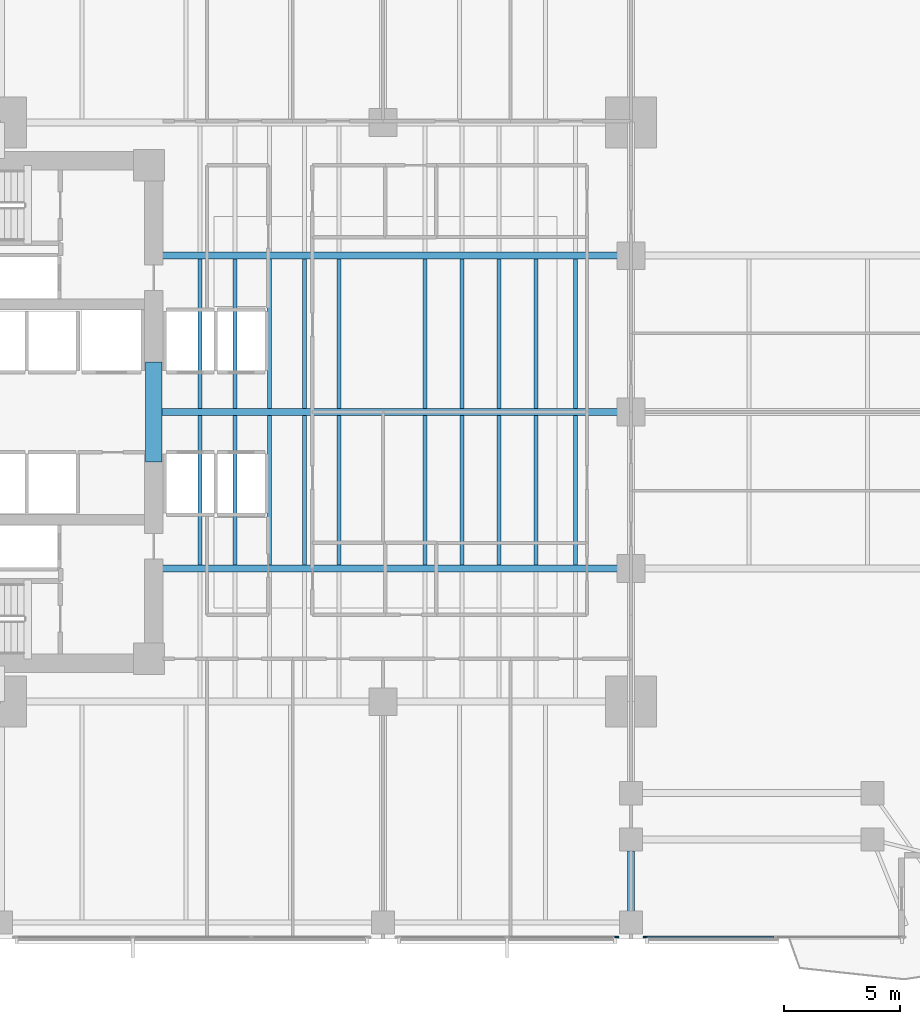
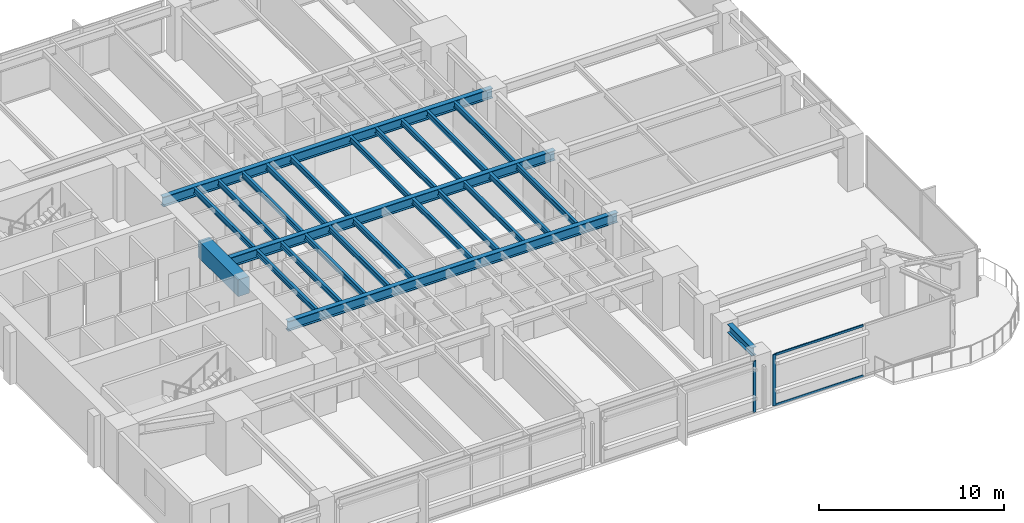
# One storey, part 3 of 15: 25 beams, 4 members, 2 elements without a shape of their own.
"""IFC4 building model written with IfcOpenShell, lengths in metres."""

from ifc_helpers import new_model, si_unit, direction, frame, origin, origin_2d, place, context, subcontext, project, spatial, rectangle, i_section, extrude, material, layer, layer_set, material_profile, profile_set, type_object, element, aggregate, save


model = new_model("IFC4")

# Units and contexts
model_context = context("Model", 3, precision=1e-05, world=origin(), true_north=direction((0.0, 1.0)))
body_context = subcontext(model_context, "Body", "Model", "MODEL_VIEW")
ifc_project = project(units=[si_unit("LENGTHUNIT", "METRE"), si_unit("AREAUNIT", "SQUARE_METRE"), si_unit("VOLUMEUNIT", "CUBIC_METRE"), si_unit("PLANEANGLEUNIT", "RADIAN"), si_unit("MASSUNIT", "GRAM", prefix="KILO")], contexts=[model_context])

# Site, building, storey
site_placement = place(None, origin())
site = spatial("IfcSite", under=ifc_project, at=site_placement, CompositionType="ELEMENT")
building_placement = place(site_placement, origin())
building = spatial("IfcBuilding", under=site, at=building_placement, Name="Kinhvarn Gate Tower", CompositionType="ELEMENT")
storey_placement = place(building_placement, frame((0.0, 0.0, 64.64990234375)))
storey = spatial("IfcBuildingStorey", under=building, at=storey_placement, Name="L16", CompositionType="ELEMENT", Elevation=64.64990234375)

# Beam
ifc_material_1 = material(Name="Concrete C70/85", Category="concrete")
ifc_material_profile_1 = material_profile(ifc_material_1, rectangle(XDim=0.699951171875, YDim=1.10009765625, at=origin_2d()), Name="RC 700x1100")
ifc_profile_set_1 = profile_set([ifc_material_profile_1], Name="Concrete C70/85")
beam_type_1 = type_object("IfcBeamType", Name="BM-CB-1100", PredefinedType="LINTEL", material=ifc_profile_set_1)
beam_1_placement = place(storey_placement, frame((17.60009765625, 23.10009765625, 2.820068359375), z_axis=(0.0, 1.0, 0.0), x_axis=(-1.0, 0.0, 0.0)))
element("IfcBeam", 1, at=beam_1_placement, inside=storey, type_object=beam_type_1, Name="Core East Portal Coupling Beam L16", PredefinedType="LINTEL", context=body_context, shape_type="SweptSolid", body=[
    extrude(rectangle(XDim=0.699951171875, YDim=1.10009765625, at=origin_2d()), origin(), (0.0, 0.0, 1.0), 4.2998046875),
])

# Curtain wall, member
ifc_material_2 = material(Name="Anodised aluminium AW-6063", Category="aluminium")
ifc_layer = layer(ifc_material_2, 0.179931640625)
ifc_layer_set = layer_set([ifc_layer], Name="Anodised aluminium AW-6063")
curtain_wall_type = type_object("IfcCurtainWallType", Name="CW-SYS-2", PredefinedType="NOTDEFINED", material=ifc_layer_set)
curtain_wall_1_placement = place(storey_placement, origin())
curtain_wall_1 = element("IfcCurtainWall", 2, at=curtain_wall_1_placement, inside=storey, type_object=curtain_wall_type, Name="Curtain Wall CW2 (L16)", PredefinedType="NOTDEFINED")
ifc_material_profile_2 = material_profile(ifc_material_2, rectangle(XDim=0.070068359375, YDim=0.179931640625, at=origin_2d()), Name="ALU 70x180")
ifc_profile_set_2 = profile_set([ifc_material_profile_2], Name="Anodised aluminium AW-6063")
member_type_1 = type_object("IfcMemberType", Name="CW-MUL-180", PredefinedType="MULLION", material=ifc_profile_set_2)
member_1_placement = place(storey_placement, frame((37.5849609375, 2.590087890625, 0.0), z_axis=(0.0, 0.0, 1.0), x_axis=(0.0, 1.0, 0.0)))
member_1 = element("IfcMember", 3, at=member_1_placement, type_object=member_type_1, Name="CW2 mullion 3", PredefinedType="MULLION", context=body_context, shape_type="SweptSolid", body=[
    extrude(rectangle(XDim=0.070068359375, YDim=0.179931640625, at=origin_2d()), origin(), (0.0, 0.0, 1.0), 3.3701171875),
])
aggregate(curtain_wall_1, [member_1])

# Curtain wall, members
curtain_wall_2_placement = place(storey_placement, origin())
curtain_wall_2 = element("IfcCurtainWall", 4, at=curtain_wall_2_placement, inside=storey, type_object=curtain_wall_type, Name="Curtain Wall CW2 (L16)", PredefinedType="NOTDEFINED")
member_2_placement = place(storey_placement, frame((38.81494140625, 2.590087890625, 0.0), z_axis=(0.0, 0.0, 1.0), x_axis=(0.0, 1.0, 0.0)))
member_2 = element("IfcMember", 5, at=member_2_placement, type_object=member_type_1, Name="CW2 mullion 1", PredefinedType="MULLION", context=body_context, shape_type="SweptSolid", body=[
    extrude(rectangle(XDim=0.070068359375, YDim=0.179931640625, at=origin_2d()), origin(), (0.0, 0.0, 1.0), 3.3701171875),
])
ifc_material_profile_3 = material_profile(ifc_material_2, rectangle(XDim=0.070068359375, YDim=0.139892578125, at=origin_2d()), Name="ALU 70x140")
ifc_profile_set_3 = profile_set([ifc_material_profile_3], Name="Anodised aluminium AW-6063")
member_type_2 = type_object("IfcMemberType", Name="CW-TRN-140", PredefinedType="USERDEFINED", material=ifc_profile_set_3)
member_3_placement = place(storey_placement, frame((38.85009765625, 2.590087890625, 0.03515625), z_axis=(1.0, 0.0, 0.0), x_axis=(0.0, 1.0, 0.0)))
member_3 = element("IfcMember", 6, at=member_3_placement, type_object=member_type_2, Name="CW2 transom 1.1", ObjectType="TRANSOM", PredefinedType="USERDEFINED", context=body_context, shape_type="SweptSolid", body=[
    extrude(rectangle(XDim=0.070068359375, YDim=0.139892578125, at=origin_2d()), origin(), (0.0, 0.0, 1.0), 5.5048828125),
])
member_4_placement = place(storey_placement, frame((38.85009765625, 2.590087890625, 3.335205078125), z_axis=(1.0, 0.0, 0.0), x_axis=(0.0, 1.0, 0.0)))
member_4 = element("IfcMember", 7, at=member_4_placement, type_object=member_type_2, Name="CW2 transom 1.2", ObjectType="TRANSOM", PredefinedType="USERDEFINED", context=body_context, shape_type="SweptSolid", body=[
    extrude(rectangle(XDim=0.070068359375, YDim=0.139892578125, at=origin_2d()), origin(), (0.0, 0.0, 1.0), 5.5048828125),
])
aggregate(curtain_wall_2, [member_2, member_3, member_4])

# Beams
ifc_material_3 = material(Name="Steel S355", Category="steel")
ifc_material_profile_4 = material_profile(ifc_material_3, i_section(OverallWidth=0.300048828125, OverallDepth=0.550048828125, WebThickness=0.014892578125, FlangeThickness=0.029052734375, at=origin_2d()), Name="HEB 550")
ifc_profile_set_4 = profile_set([ifc_material_profile_4], Name="Steel S355")
beam_type_2 = type_object("IfcBeamType", Name="STL-HEB550", PredefinedType="BEAM", material=ifc_profile_set_4)
beam_2_placement = place(storey_placement, frame((38.199951171875, 3.705078125, 3.09521484375), z_axis=(0.0, 1.0, 0.0), x_axis=(-1.0, 0.0, 0.0)))
element("IfcBeam", 8, at=beam_2_placement, inside=storey, type_object=beam_type_2, Name="Floor Beam PG-15 (L16 MCE-S-A0)", PredefinedType="BEAM", context=body_context, shape_type="SweptSolid", body=[
    extrude(i_section(OverallWidth=0.300048828125, OverallDepth=0.550048828125, WebThickness=0.014892578125, FlangeThickness=0.029052734375, at=origin_2d()), origin(), (0.0, 0.0, 1.0), 2.60986328125),
])
ifc_material_profile_5 = material_profile(ifc_material_3, i_section(OverallWidth=0.300048828125, OverallDepth=0.64990234375, WebThickness=0.01611328125, FlangeThickness=0.031005859375, at=origin_2d()), Name="HEB 650")
ifc_profile_set_5 = profile_set([ifc_material_profile_5], Name="Steel S355")
beam_type_3 = type_object("IfcBeamType", Name="STL-HEB650", PredefinedType="BEAM", material=ifc_profile_set_5)
beam_3_placement = place(storey_placement, frame((17.64990234375, 18.5, 3.045166015625), z_axis=(1.0, 0.0, 0.0), x_axis=(0.0, 1.0, 0.0)))
element("IfcBeam", 9, at=beam_3_placement, inside=storey, type_object=beam_type_3, Name="Floor Beam PG-17 (L16 EW1-Y18)", PredefinedType="BEAM", context=body_context, shape_type="SweptSolid", body=[
    extrude(i_section(OverallWidth=0.300048828125, OverallDepth=0.64990234375, WebThickness=0.01611328125, FlangeThickness=0.031005859375, at=origin_2d()), origin(), (0.0, 0.0, 1.0), 20.550048828125),
])
beam_4_placement = place(storey_placement, frame((17.949951171875, 25.25, 3.045166015625), z_axis=(1.0, 0.0, 0.0), x_axis=(0.0, 1.0, 0.0)))
element("IfcBeam", 10, at=beam_4_placement, inside=storey, type_object=beam_type_3, Name="Floor Beam PG-17 (L16 EW1-Y25)", PredefinedType="BEAM", context=body_context, shape_type="SweptSolid", body=[
    extrude(i_section(OverallWidth=0.300048828125, OverallDepth=0.64990234375, WebThickness=0.01611328125, FlangeThickness=0.031005859375, at=origin_2d()), origin(), (0.0, 0.0, 1.0), 20.25),
])
beam_5_placement = place(storey_placement, frame((17.64990234375, 32.0, 3.045166015625), z_axis=(1.0, 0.0, 0.0), x_axis=(0.0, 1.0, 0.0)))
element("IfcBeam", 11, at=beam_5_placement, inside=storey, type_object=beam_type_3, Name="Floor Beam PG-17 (L16 EW1-Y32)", PredefinedType="BEAM", context=body_context, shape_type="SweptSolid", body=[
    extrude(i_section(OverallWidth=0.300048828125, OverallDepth=0.64990234375, WebThickness=0.01611328125, FlangeThickness=0.031005859375, at=origin_2d()), origin(), (0.0, 0.0, 1.0), 20.550048828125),
])
ifc_material_profile_6 = material_profile(ifc_material_3, i_section(OverallWidth=0.169921875, OverallDepth=0.360107421875, WebThickness=0.008056640625, FlangeThickness=0.0126953125, at=origin_2d()), Name="IPE 360")
ifc_profile_set_6 = profile_set([ifc_material_profile_6], Name="Steel S355")
beam_type_4 = type_object("IfcBeamType", Name="STL-IPE360", PredefinedType="JOIST", material=ifc_profile_set_6)
for number, where, z_axis, x_axis, name in (
    (12, (19.60009765625, 18.64990234375, 3.190185546875), (0.0, 1.0, 0.0), (-1.0, 0.0, 0.0), "Floor Joist SB-04 (L16 JC-X196-1)"),
    (13, (19.60009765625, 25.39990234375, 3.190185546875), (0.0, 1.0, 0.0), (-1.0, 0.0, 0.0), "Floor Joist SB-04 (L16 JC-X196-2)"),
    (14, (21.10009765625, 18.64990234375, 3.190185546875), (0.0, 1.0, 0.0), (-1.0, 0.0, 0.0), "Floor Joist SB-04 (L16 JC-X211-1)"),
    (15, (21.10009765625, 25.39990234375, 3.190185546875), (0.0, 1.0, 0.0), (-1.0, 0.0, 0.0), "Floor Joist SB-04 (L16 JC-X211-2)"),
    (16, (22.60009765625, 18.64990234375, 3.190185546875), (0.0, 1.0, 0.0), (-1.0, 0.0, 0.0), "Floor Joist SB-04 (L16 JC-X226-1)"),
    (17, (22.60009765625, 25.39990234375, 3.190185546875), (0.0, 1.0, 0.0), (-1.0, 0.0, 0.0), "Floor Joist SB-04 (L16 JC-X226-2)"),
    (18, (24.10009765625, 18.64990234375, 3.190185546875), (0.0, 1.0, 0.0), (-1.0, 0.0, 0.0), "Floor Joist SB-04 (L16 JC-X241-1)"),
    (19, (24.10009765625, 25.39990234375, 3.190185546875), (0.0, 1.0, 0.0), (-1.0, 0.0, 0.0), "Floor Joist SB-04 (L16 JC-X241-2)"),
    (20, (25.60009765625, 18.64990234375, 3.190185546875), (0.0, 1.0, 0.0), (-1.0, 0.0, 0.0), "Floor Joist SB-04 (L16 JC-X256-1)"),
    (21, (25.60009765625, 25.39990234375, 3.190185546875), (0.0, 1.0, 0.0), (-1.0, 0.0, 0.0), "Floor Joist SB-04 (L16 JC-X256-2)"),
    (22, (29.300048828125, 18.64990234375, 3.190185546875), (0.0, 1.0, 0.0), (-1.0, 0.0, 0.0), "Floor Joist SB-04 (L16 JC-X293-1)"),
    (23, (29.300048828125, 25.39990234375, 3.190185546875), (0.0, 1.0, 0.0), (-1.0, 0.0, 0.0), "Floor Joist SB-04 (L16 JC-X293-2)"),
    (24, (30.89990234375, 18.64990234375, 3.190185546875), (0.0, 1.0, 0.0), (-1.0, 0.0, 0.0), "Floor Joist SB-04 (L16 JC-X309-1)"),
    (25, (30.89990234375, 25.39990234375, 3.190185546875), (0.0, 1.0, 0.0), (-1.0, 0.0, 0.0), "Floor Joist SB-04 (L16 JC-X309-2)"),
    (26, (32.5, 18.64990234375, 3.190185546875), (0.0, 1.0, 0.0), (-1.0, 0.0, 0.0), "Floor Joist SB-04 (L16 JC-X325-1)"),
    (27, (32.5, 25.39990234375, 3.190185546875), (0.0, 1.0, 0.0), (-1.0, 0.0, 0.0), "Floor Joist SB-04 (L16 JC-X325-2)"),
    (28, (34.10009765625, 18.64990234375, 3.190185546875), (0.0, 1.0, 0.0), (-1.0, 0.0, 0.0), "Floor Joist SB-04 (L16 JC-X341-1)"),
    (29, (34.10009765625, 25.39990234375, 3.190185546875), (0.0, 1.0, 0.0), (-1.0, 0.0, 0.0), "Floor Joist SB-04 (L16 JC-X341-2)"),
    (30, (35.800048828125, 18.64990234375, 3.190185546875), (0.0, 1.0, 0.0), (-1.0, 0.0, 0.0), "Floor Joist SB-04 (L16 JC-X358-1)"),
    (31, (35.800048828125, 25.39990234375, 3.190185546875), (0.0, 1.0, 0.0), (-1.0, 0.0, 0.0), "Floor Joist SB-04 (L16 JC-X358-2)"),
):
    element("IfcBeam", number, at=place(storey_placement, frame(where, z_axis=z_axis, x_axis=x_axis)), inside=storey, type_object=beam_type_4, Name=name, PredefinedType="JOIST", context=body_context, shape_type="SweptSolid", body=[
        extrude(i_section(OverallWidth=0.169921875, OverallDepth=0.360107421875, WebThickness=0.008056640625, FlangeThickness=0.0126953125, at=origin_2d()), origin(), (0.0, 0.0, 1.0), 6.4501953125),
    ])

save(model, "model.ifc")
